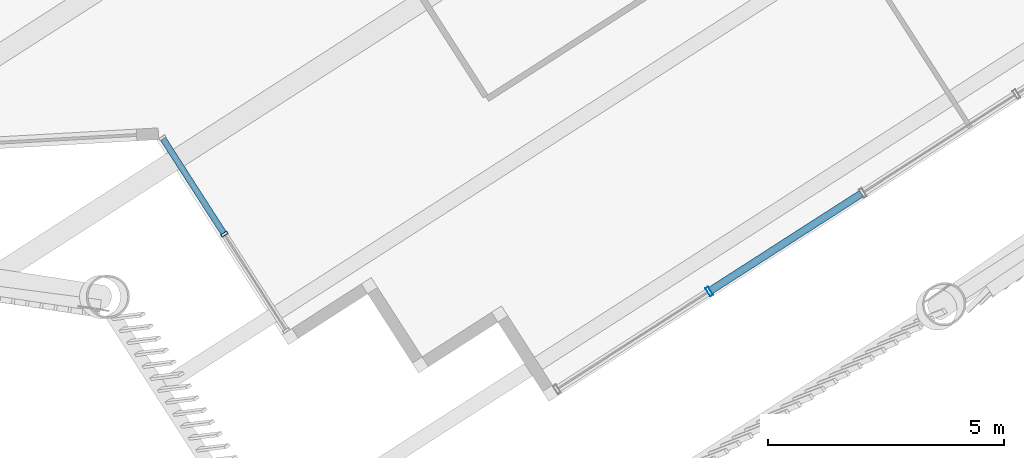
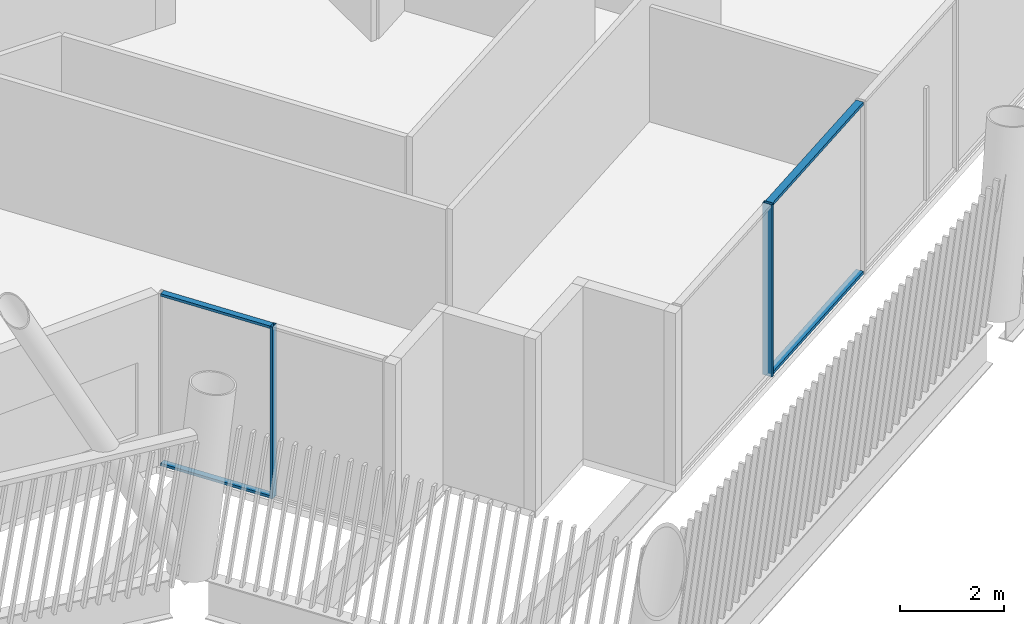
# One storey, part 7 of 35: 6 members, 2 elements without a shape of their own.
"""IFC4 building model written with IfcOpenShell, lengths in metres."""

from ifc_helpers import new_model, si_unit, direction, frame, origin, origin_2d, place, context, subcontext, project, spatial, hollow_rectangle, extrude, material, layer, layer_set, material_profile, profile_set, type_object, element, aggregate, save


model = new_model("IFC4")

# Units and contexts
model_context = context("Model", 3, precision=1e-05, world=origin(), true_north=direction((0.0, 1.0)))
body_context = subcontext(model_context, "Body", "Model", "MODEL_VIEW")
ifc_project = project(units=[si_unit("LENGTHUNIT", "METRE"), si_unit("AREAUNIT", "SQUARE_METRE"), si_unit("VOLUMEUNIT", "CUBIC_METRE"), si_unit("PLANEANGLEUNIT", "RADIAN"), si_unit("MASSUNIT", "GRAM", prefix="KILO")], contexts=[model_context])

# Site, building, storey
site_placement = place(None, origin())
site = spatial("IfcSite", under=ifc_project, at=site_placement, CompositionType="ELEMENT")
building_placement = place(site_placement, origin())
building = spatial("IfcBuilding", under=site, at=building_placement, Name="Tarsis Ring Headquarters", CompositionType="ELEMENT")
storey_placement = place(building_placement, frame((0.0, 0.0, 360.800048828125)))
storey = spatial("IfcBuildingStorey", under=building, at=storey_placement, Name="L85", CompositionType="ELEMENT", Elevation=360.800048828125)

# Curtain wall, member
ifc_material_1 = material(Name="Aluminium curtain wall", Category="aluminium")
ifc_layer_1 = layer(ifc_material_1, 0.199951171875)
ifc_layer_set_1 = layer_set([ifc_layer_1], Name="Curtain wall executive tip")
curtain_wall_type_1 = type_object("IfcCurtainWallType", Name="Curtain wall executive tip", PredefinedType="NOTDEFINED", material=ifc_layer_set_1)
curtain_wall_1_placement = place(storey_placement, origin())
curtain_wall_1 = element("IfcCurtainWall", 1, at=curtain_wall_1_placement, inside=storey, type_object=curtain_wall_type_1, Name="Curtain wall L85-11", PredefinedType="NOTDEFINED")
ifc_material_2 = material(Name="Aluminium mullion", Category="aluminium")
ifc_material_profile_1 = material_profile(ifc_material_2, hollow_rectangle(XDim=0.199951171875, YDim=0.070068359375, WallThickness=0.0048828125, at=origin_2d()), Name="RHS 200x70x5")
ifc_profile_set_1 = profile_set([ifc_material_profile_1], Name="Aluminium mullion")
member_type_1 = type_object("IfcMemberType", Name="Curtain wall mullion executive tip RHS 200x70x5", PredefinedType="MULLION", material=ifc_profile_set_1)
member_1_placement = place(storey_placement, frame((13.969482421875, -28.91162109375, 0.0), z_axis=(0.0, 0.0, 1.0), x_axis=(-0.540534064595, 0.841322129159, 0.0)))
member_1 = element("IfcMember", 2, at=member_1_placement, type_object=member_type_1, Name="CW-E mullion 2", PredefinedType="MULLION", context=body_context, shape_type="SweptSolid", body=[
    extrude(hollow_rectangle(XDim=0.199951171875, YDim=0.070068359375, WallThickness=0.0048828125, at=origin_2d()), origin(), (0.0, 0.0, 1.0), 4.0400390625),
])

ifc_layer_2 = layer(ifc_material_1, 0.14990234375)
ifc_layer_set_2 = layer_set([ifc_layer_2], Name="Curtain wall tower unit")
curtain_wall_type_2 = type_object("IfcCurtainWallType", Name="Curtain wall tower unit", PredefinedType="NOTDEFINED", material=ifc_layer_set_2)
curtain_wall_2_placement = place(storey_placement, origin())
curtain_wall_2 = element("IfcCurtainWall", 3, at=curtain_wall_2_placement, inside=storey, type_object=curtain_wall_type_2, Name="Curtain wall L85-06", PredefinedType="NOTDEFINED")
ifc_material_profile_2 = material_profile(ifc_material_2, hollow_rectangle(XDim=0.14990234375, YDim=0.06005859375, WallThickness=0.0048828125, at=origin_2d()), Name="RHS 150x60x5")
ifc_profile_set_2 = profile_set([ifc_material_profile_2], Name="Aluminium mullion")
member_type_2 = type_object("IfcMemberType", Name="Curtain wall mullion tower unit RHS 150x60x5", PredefinedType="MULLION", material=ifc_profile_set_2)
member_2_placement = place(storey_placement, frame((3.678955078125, -27.695068359375, 0.0), z_axis=(0.0, 0.0, 1.0), x_axis=(0.841322074148, 0.540534150217, 0.0)))
member_2 = element("IfcMember", 4, at=member_2_placement, type_object=member_type_2, Name="CW-T mullion 2", PredefinedType="MULLION", context=body_context, shape_type="SweptSolid", body=[
    extrude(hollow_rectangle(XDim=0.14990234375, YDim=0.06005859375, WallThickness=0.0048828125, at=origin_2d()), origin(), (0.0, 0.0, 1.0), 4.0400390625),
])

# Member
ifc_material_3 = material(Name="Aluminium transom", Category="aluminium")
ifc_material_profile_3 = material_profile(ifc_material_3, hollow_rectangle(XDim=0.159912109375, YDim=0.070068359375, WallThickness=0.0048828125, at=origin_2d()), Name="RHS 160x70x5")
ifc_profile_set_3 = profile_set([ifc_material_profile_3], Name="Aluminium transom")
member_type_3 = type_object("IfcMemberType", Name="Curtain wall transom executive tip RHS 160x70x5", PredefinedType="USERDEFINED", material=ifc_profile_set_3)
member_3_placement = place(storey_placement, frame((13.998779296875, -28.892822265625, 0.034912109375), z_axis=(0.841347292117, 0.540494897338, 0.0), x_axis=(-0.540494897338, 0.841347292117, 0.0)))
member_3 = element("IfcMember", 5, at=member_3_placement, type_object=member_type_3, Name="CW-E transom 2.1", ObjectType="TRANSOM", PredefinedType="USERDEFINED", context=body_context, shape_type="SweptSolid", body=[
    extrude(hollow_rectangle(XDim=0.159912109375, YDim=0.070068359375, WallThickness=0.0048828125, at=origin_2d()), origin(), (0.0, 0.0, 1.0), 3.80517578125),
])

member_4_placement = place(storey_placement, frame((13.998779296875, -28.892822265625, 4.0048828125), z_axis=(0.841347292117, 0.540494897338, 0.0), x_axis=(-0.540494897338, 0.841347292117, 0.0)))
member_4 = element("IfcMember", 6, at=member_4_placement, type_object=member_type_3, Name="CW-E transom 2.2", ObjectType="TRANSOM", PredefinedType="USERDEFINED", context=body_context, shape_type="SweptSolid", body=[
    extrude(hollow_rectangle(XDim=0.159912109375, YDim=0.070068359375, WallThickness=0.0048828125, at=origin_2d()), origin(), (0.0, 0.0, 1.0), 3.80517578125),
])

aggregate(curtain_wall_1, [member_1, member_3, member_4])

ifc_material_profile_4 = material_profile(ifc_material_3, hollow_rectangle(XDim=0.1298828125, YDim=0.06005859375, WallThickness=0.0048828125, at=origin_2d()), Name="RHS 130x60x5")
ifc_profile_set_4 = profile_set([ifc_material_profile_4], Name="Aluminium transom")
member_type_4 = type_object("IfcMemberType", Name="Curtain wall transom tower unit RHS 130x60x5", PredefinedType="USERDEFINED", material=ifc_profile_set_4)
member_5_placement = place(storey_placement, frame((2.381103515625, -25.675048828125, 0.030029296875), z_axis=(0.540528567299, -0.841325661046, 0.0), x_axis=(0.841325661046, 0.540528567299, 0.0)))
member_5 = element("IfcMember", 7, at=member_5_placement, type_object=member_type_4, Name="CW-T transom 1.1", ObjectType="TRANSOM", PredefinedType="USERDEFINED", context=body_context, shape_type="SweptSolid", body=[
    extrude(hollow_rectangle(XDim=0.1298828125, YDim=0.06005859375, WallThickness=0.0048828125, at=origin_2d()), origin(), (0.0, 0.0, 1.0), 2.370849609375),
])

member_6_placement = place(storey_placement, frame((2.381103515625, -25.675048828125, 4.010009765625), z_axis=(0.540528567299, -0.841325661046, 0.0), x_axis=(0.841325661046, 0.540528567299, 0.0)))
member_6 = element("IfcMember", 8, at=member_6_placement, type_object=member_type_4, Name="CW-T transom 1.2", ObjectType="TRANSOM", PredefinedType="USERDEFINED", context=body_context, shape_type="SweptSolid", body=[
    extrude(hollow_rectangle(XDim=0.1298828125, YDim=0.06005859375, WallThickness=0.0048828125, at=origin_2d()), origin(), (0.0, 0.0, 1.0), 2.370849609375),
])

aggregate(curtain_wall_2, [member_2, member_5, member_6])

save(model, "model.ifc")
